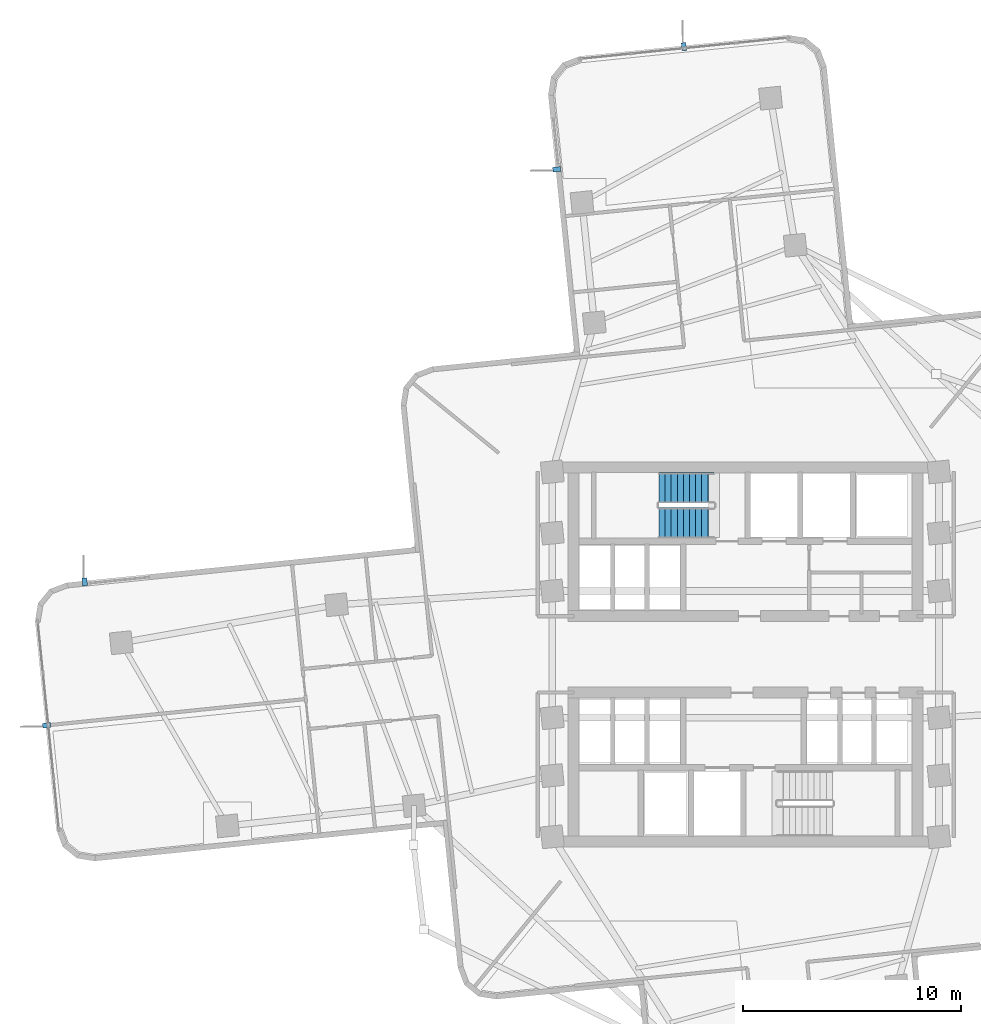
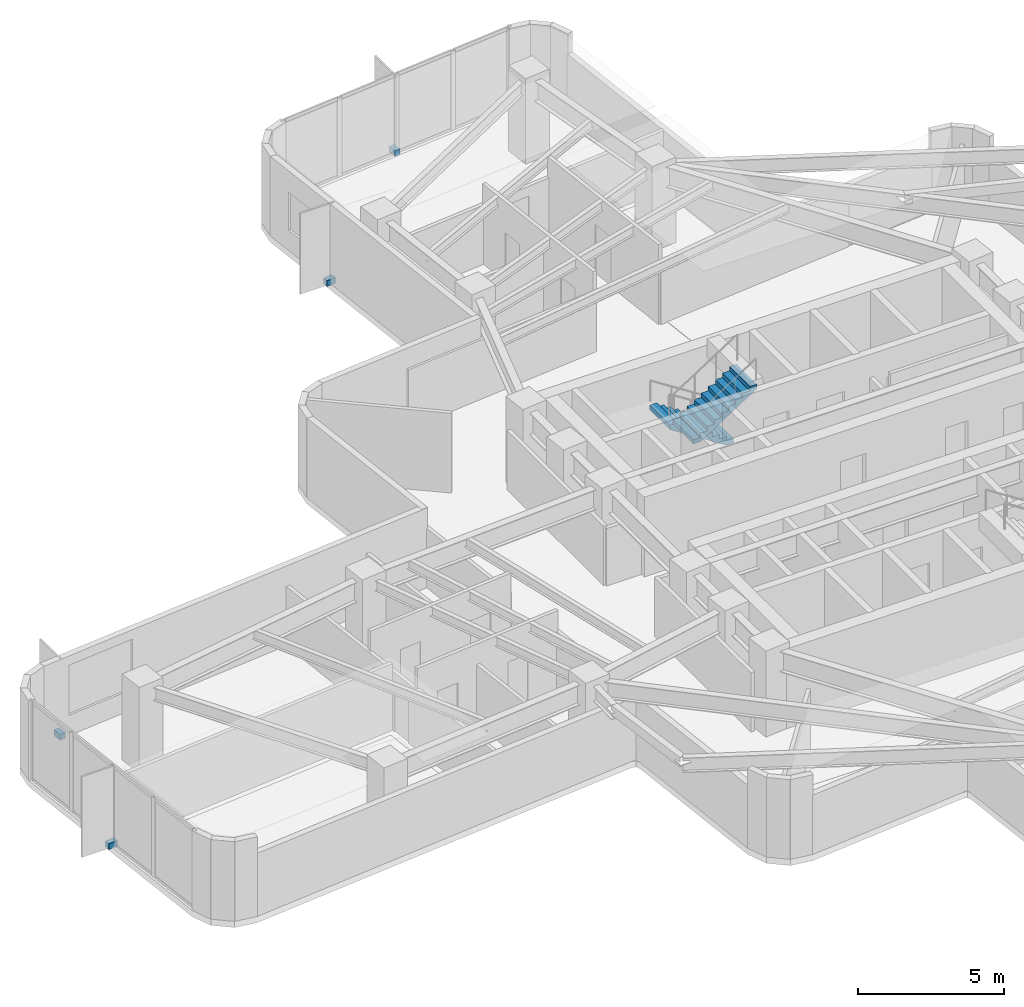
# One storey, part 9 of 12: 4 discrete accessories, 2 stair flights, 1 element without a shape of its own.
"""IFC4 building model written with IfcOpenShell, lengths in metres."""

from ifc_helpers import new_model, si_unit, direction, frame, origin, origin_2d, place, context, subcontext, project, spatial, polyline, rectangle, outline, extrude, material, type_object, element, aggregate, save


model = new_model("IFC4")

# Units and contexts
model_context = context("Model", 3, precision=1e-05, world=origin(), true_north=direction((0.0, 1.0)))
body_context = subcontext(model_context, "Body", "Model", "MODEL_VIEW")
ifc_project = project(units=[si_unit("LENGTHUNIT", "METRE"), si_unit("AREAUNIT", "SQUARE_METRE"), si_unit("VOLUMEUNIT", "CUBIC_METRE"), si_unit("PLANEANGLEUNIT", "RADIAN"), si_unit("MASSUNIT", "GRAM", prefix="KILO")], contexts=[model_context])

# Site, building, storey
site_placement = place(None, origin())
site = spatial("IfcSite", under=ifc_project, at=site_placement, CompositionType="ELEMENT")
building_placement = place(site_placement, origin())
building = spatial("IfcBuilding", under=site, at=building_placement, Name="Solmarez Civic Tower", CompositionType="ELEMENT")
storey_placement = place(building_placement, frame((0.0, 0.0, 74.8798828125)))
storey = spatial("IfcBuildingStorey", under=building, at=storey_placement, Name="L19", CompositionType="ELEMENT", Elevation=74.8798828125)

# Stair, stair flights
ifc_material_1 = material(Name="Concrete C50/60", Category="concrete")
stair_type = type_object("IfcStairType", Name="STAIR-DOGLEG-140W-20R-1800", PredefinedType="HALF_TURN_STAIR", material=ifc_material_1)
stair_placement = place(storey_placement, origin())
stair = element("IfcStair", 1, at=stair_placement, inside=storey, type_object=stair_type, Name="L19 North Core Protected Exit Stair ST-1", PredefinedType="HALF_TURN_STAIR")
stair_flight_type = type_object("IfcStairFlightType", Name="FLIGHT-DOGLEG-140W-10R-1800", PredefinedType="STRAIGHT", material=ifc_material_1)
stair_flight_1_placement = place(storey_placement, frame((-1.449951171875, 7.6201171875, 0.0), z_axis=(0.0, 0.0, 1.0), x_axis=(-1.0, 0.0, 0.0)))
stair_flight_1 = element("IfcStairFlight", 2, at=stair_flight_1_placement, type_object=stair_flight_type, Name="ST-1 flight 1", NumberOfRisers=10, NumberOfTreads=9, PredefinedType="STRAIGHT", RiserHeight=0.18, TreadLength=0.28, context=body_context, shape_type="SweptSolid", body=[
    extrude(outline(polyline([(0.0, 0.0), (0.0, 0.179931640625), (0.280029296875, 0.179931640625), (0.280029296875, 0.360107421875), (0.56005859375, 0.360107421875), (0.56005859375, 0.5400390625), (0.840087890625, 0.5400390625), (0.840087890625, 0.719970703125), (1.1201171875, 0.719970703125), (1.1201171875, 0.89990234375), (1.39990234375, 0.89990234375), (1.39990234375, 1.080078125), (1.679931640625, 1.080078125), (1.679931640625, 1.260009765625), (1.9599609375, 1.260009765625), (1.9599609375, 1.43994140625), (2.239990234375, 1.43994140625), (2.239990234375, 1.6201171875), (2.52001953125, 1.6201171875), (2.52001953125, 1.800048828125), (2.52001953125, 1.429931640625), (0.295654296875, 0.0), (0.0, 0.0)])), frame((0.0, 0.699951171875, 0.0), z_axis=(0.0, -1.0, 0.0), x_axis=(1.0, 0.0, 0.0)), (0.0, 0.0, 1.0), 1.39990234375),
])
stair_flight_2_placement = place(storey_placement, frame((-3.969970703125, 6.02001953125, 1.800048828125), z_axis=(0.0, 0.0, 1.0), x_axis=(1.0, 0.0, 0.0)))
stair_flight_2 = element("IfcStairFlight", 3, at=stair_flight_2_placement, type_object=stair_flight_type, Name="ST-1 flight 2", NumberOfRisers=10, NumberOfTreads=9, PredefinedType="STRAIGHT", RiserHeight=0.18, TreadLength=0.28, context=body_context, shape_type="SweptSolid", body=[
    extrude(outline(polyline([(0.0, 0.0), (0.0, 0.179931640625), (0.280029296875, 0.179931640625), (0.280029296875, 0.360107421875), (0.56005859375, 0.360107421875), (0.56005859375, 0.5400390625), (0.840087890625, 0.5400390625), (0.840087890625, 0.719970703125), (1.1201171875, 0.719970703125), (1.1201171875, 0.89990234375), (1.39990234375, 0.89990234375), (1.39990234375, 1.080078125), (1.679931640625, 1.080078125), (1.679931640625, 1.260009765625), (1.9599609375, 1.260009765625), (1.9599609375, 1.43994140625), (2.239990234375, 1.43994140625), (2.239990234375, 1.6201171875), (2.52001953125, 1.6201171875), (2.52001953125, 1.800048828125), (2.52001953125, 1.429931640625), (0.295654296875, 0.0), (0.0, 0.0)])), frame((0.0, 0.699951171875, 0.0), z_axis=(0.0, -1.0, 0.0), x_axis=(1.0, 0.0, 0.0)), (0.0, 0.0, 1.0), 1.39990234375),
])
aggregate(stair, [stair_flight_1, stair_flight_2])

# Discrete accessories
ifc_material_2 = material(Name="Stainless Steel Grade 1.4401", Category="steel")
discrete_accessory_type = type_object("IfcDiscreteAccessoryType", Name="BRACKET-SS-FIN", PredefinedType="BRACKET", material=ifc_material_2)
for number, where, z_axis, x_axis, name in (
    (4, (-31.9951171875, -3.25, -0.06005859375), (0.0, 0.0, 1.0), (-0.994880775402, -0.101055641781, 0.0), "L19 Stainless Fin Support Bracket FIN-L19-01"),
    (5, (-30.2490234375, 3.320068359375, -0.06005859375), (0.0, 0.0, 1.0), (-0.10109106031, 0.994877177105, 0.0), "L19 Stainless Fin Support Bracket FIN-L19-02"),
    (6, (-8.64697265625, 22.198974609375, -0.06005859375), (0.0, 0.0, 1.0), (-0.994880248816, -0.10106082582, 0.0), "L19 Stainless Fin Support Bracket FIN-L19-03"),
    (7, (-2.825927734375, 27.81689453125, -0.06005859375), (0.0, 0.0, 1.0), (-0.101066149567, 0.994879708011, 0.0), "L19 Stainless Fin Support Bracket FIN-L19-04"),
):
    element("IfcDiscreteAccessory", number, at=place(storey_placement, frame(where, z_axis=z_axis, x_axis=x_axis)), inside=storey, type_object=discrete_accessory_type, Name=name, PredefinedType="BRACKET", context=body_context, shape_type="SweptSolid", body=[
        extrude(rectangle(XDim=0.360107421875, YDim=0.219970703125, at=origin_2d()), origin(), (0.0, 0.0, 1.0), 0.239990234375),
    ])

save(model, "model.ifc")
